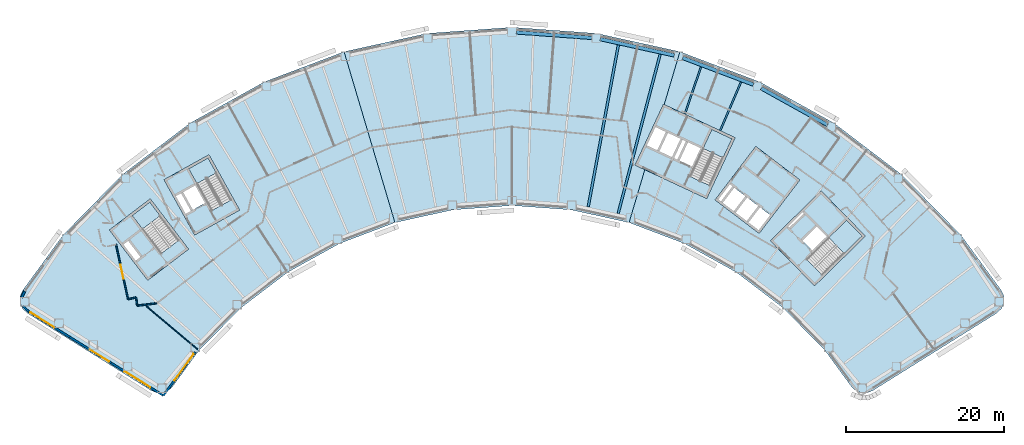
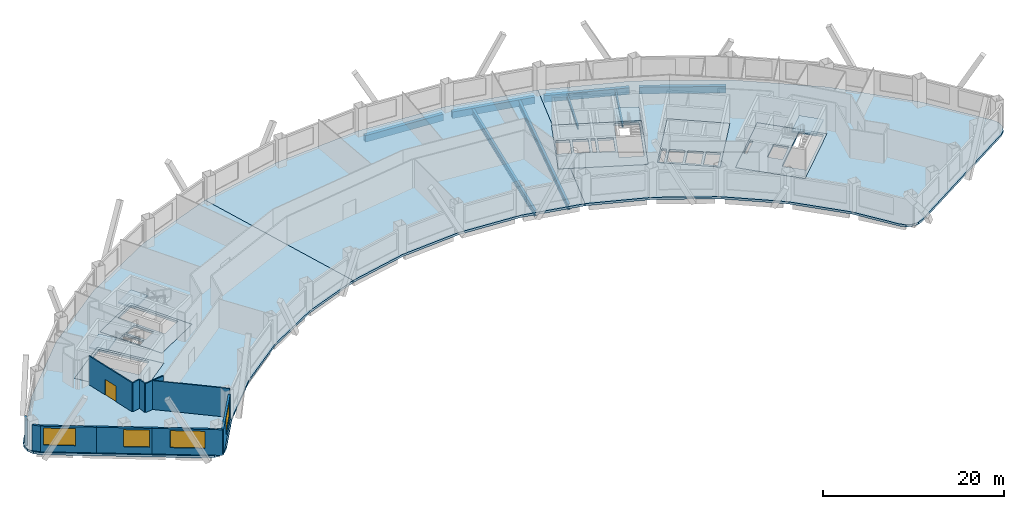
# One storey, part 2 of 11: 12 slabs, 11 walls, 8 beams, 4 windows, 1 door, 5 openings, 4 elements without a shape of their own.
"""IFC4 building model written with IfcOpenShell, lengths in metres."""

from ifc_helpers import new_model, si_unit, direction, frame, frame_2d, origin, origin_2d, place, context, subcontext, project, spatial, polyline, rectangle, hollow_rectangle, i_section, outline, extrude, material, layer, layer_set, material_profile, profile_set, type_object, element, fill, aggregate, save


model = new_model("IFC4")

# Units and contexts
model_context = context("Model", 3, precision=1e-05, world=origin(), true_north=direction((0.0, 1.0)))
body_context = subcontext(model_context, "Body", "Model", "MODEL_VIEW")
ifc_project = project(units=[si_unit("LENGTHUNIT", "METRE"), si_unit("AREAUNIT", "SQUARE_METRE"), si_unit("VOLUMEUNIT", "CUBIC_METRE"), si_unit("PLANEANGLEUNIT", "RADIAN"), si_unit("MASSUNIT", "GRAM", prefix="KILO")], contexts=[model_context])

# Site, building, storey
site_placement = place(None, origin())
site = spatial("IfcSite", under=ifc_project, at=site_placement, CompositionType="ELEMENT")
building_placement = place(site_placement, origin())
building = spatial("IfcBuilding", under=site, at=building_placement, Name="Tuul Gate Civic Tower", CompositionType="ELEMENT")
storey_placement = place(building_placement, frame((0.0, 0.0, 116.10009765625)))
storey = spatial("IfcBuildingStorey", under=building, at=storey_placement, Name="Level 26", CompositionType="ELEMENT", Elevation=116.10009765625)

# Beams
ifc_material_1 = material(Name="Steel S355", Category="steel")
ifc_material_profile_1 = material_profile(ifc_material_1, i_section(OverallWidth=0.199951171875, OverallDepth=0.5, WebThickness=0.010009765625, FlangeThickness=0.01611328125, at=origin_2d()), Name="PG500x200x10x16")
ifc_profile_set_1 = profile_set([ifc_material_profile_1], Name="Steel S355")
beam_type_1 = type_object("IfcBeamType", Name="STR-FLOOR BEAM-PG500x200x10x16", PredefinedType="BEAM", material=ifc_profile_set_1)
beam_1_placement = place(storey_placement, frame((36.169677734375, 1.197998046875, -0.550048828125), z_axis=(0.394200560457, 0.919024438269, 0.0), x_axis=(-0.919024438269, 0.394200560457, 0.0)))
element("IfcBeam", 1, at=beam_1_placement, inside=storey, type_object=beam_type_1, Name="Floor beam", PredefinedType="BEAM", context=body_context, shape_type="SweptSolid", body=[
    extrude(i_section(OverallWidth=0.199951171875, OverallDepth=0.5, WebThickness=0.010009765625, FlangeThickness=0.01611328125, at=origin_2d()), origin(), (0.0, 0.0, 1.0), 6.704345703125),
])
beam_2_placement = place(storey_placement, frame((31.6875, 3.2880859375, -0.550048828125), z_axis=(0.325502200931, 0.945541282647, 0.0), x_axis=(-0.945541282647, 0.325502200931, 0.0)))
element("IfcBeam", 2, at=beam_2_placement, inside=storey, type_object=beam_type_1, Name="Floor beam", PredefinedType="BEAM", context=body_context, shape_type="SweptSolid", body=[
    extrude(i_section(OverallWidth=0.199951171875, OverallDepth=0.5, WebThickness=0.010009765625, FlangeThickness=0.01611328125, at=origin_2d()), origin(), (0.0, 0.0, 1.0), 6.3310546875),
])
ifc_material_2 = material(Name="Steel S355", Category="steel")
ifc_material_profile_2 = material_profile(ifc_material_2, i_section(OverallWidth=0.300048828125, OverallDepth=0.800048828125, WebThickness=0.013916015625, FlangeThickness=0.02490234375, at=origin_2d()), Name="PG800x300x14x25")
ifc_profile_set_2 = profile_set([ifc_material_profile_2], Name="Steel S355")
beam_type_2 = type_object("IfcBeamType", Name="STR-FLOOR BEAM-PG800x300x14x25", PredefinedType="BEAM", material=ifc_profile_set_2)
beam_3_placement = place(storey_placement, frame((23.267578125, -9.2548828125, -0.7001953125), z_axis=(0.255007612054, 0.966939045542, 0.0), x_axis=(-0.966939045542, 0.255007612054, 0.0)))
element("IfcBeam", 3, at=beam_3_placement, inside=storey, type_object=beam_type_2, Name="Floor beam", PredefinedType="BEAM", context=body_context, shape_type="SweptSolid", body=[
    extrude(i_section(OverallWidth=0.300048828125, OverallDepth=0.800048828125, WebThickness=0.013916015625, FlangeThickness=0.02490234375, at=origin_2d()), origin(), (0.0, 0.0, 1.0), 20.8173828125),
])
beam_4_placement = place(storey_placement, frame((19.477294921875, -8.419677734375, -0.7001953125), z_axis=(0.183147342328, 0.98308547492, 0.0), x_axis=(-0.98308547492, 0.183147342328, 0.0)))
element("IfcBeam", 4, at=beam_4_placement, inside=storey, type_object=beam_type_2, Name="Floor beam", PredefinedType="BEAM", context=body_context, shape_type="SweptSolid", body=[
    extrude(i_section(OverallWidth=0.300048828125, OverallDepth=0.800048828125, WebThickness=0.013916015625, FlangeThickness=0.02490234375, at=origin_2d()), origin(), (0.0, 0.0, 1.0), 20.811279296875),
])
ifc_material_3 = material(Name="Steel S355", Category="steel")
ifc_material_profile_3 = material_profile(ifc_material_3, hollow_rectangle(XDim=0.449951171875, YDim=0.89990234375, WallThickness=0.02490234375, at=origin_2d()), Name="BOX900x450x25")
ifc_profile_set_3 = profile_set([ifc_material_profile_3], Name="Steel S355")
beam_type_3 = type_object("IfcBeamType", Name="STR-SPANDREL BEAM-BOX900x450x25", PredefinedType="BEAM", material=ifc_profile_set_3)
beam_5_placement = place(storey_placement, frame((49.75, 1.9306640625, -0.75), z_axis=(-0.874633056334, 0.484785536879, 0.0), x_axis=(-0.484785536879, -0.874633056334, 0.0)))
element("IfcBeam", 5, at=beam_5_placement, inside=storey, type_object=beam_type_3, Name="Spandrel beam", PredefinedType="BEAM", context=body_context, shape_type="SweptSolid", body=[
    extrude(hollow_rectangle(XDim=0.449951171875, YDim=0.89990234375, WallThickness=0.02490234375, at=origin_2d()), origin(), (0.0, 0.0, 1.0), 9.57666015625),
])
beam_6_placement = place(storey_placement, frame((40.378662109375, 7.034423828125, -0.75), z_axis=(-0.935356695064, 0.353705884879, 0.0), x_axis=(-0.353705884879, -0.935356695064, 0.0)))
element("IfcBeam", 6, at=beam_6_placement, inside=storey, type_object=beam_type_3, Name="Spandrel beam", PredefinedType="BEAM", context=body_context, shape_type="SweptSolid", body=[
    extrude(hollow_rectangle(XDim=0.449951171875, YDim=0.89990234375, WallThickness=0.02490234375, at=origin_2d()), origin(), (0.0, 0.0, 1.0), 9.578369140625),
])
beam_7_placement = place(storey_placement, frame((30.367919921875, 10.7353515625, -0.75), z_axis=(-0.976564052188, 0.215226977802, 0.0), x_axis=(-0.215226977802, -0.976564052188, 0.0)))
element("IfcBeam", 7, at=beam_7_placement, inside=storey, type_object=beam_type_3, Name="Spandrel beam", PredefinedType="BEAM", context=body_context, shape_type="SweptSolid", body=[
    extrude(hollow_rectangle(XDim=0.449951171875, YDim=0.89990234375, WallThickness=0.02490234375, at=origin_2d()), origin(), (0.0, 0.0, 1.0), 9.5771484375),
])
beam_8_placement = place(storey_placement, frame((19.929443359375, 12.954833984375, -0.75), z_axis=(-0.997390439125, 0.072196343002, 0.0), x_axis=(-0.072196343002, -0.997390439125, 0.0)))
element("IfcBeam", 8, at=beam_8_placement, inside=storey, type_object=beam_type_3, Name="Spandrel beam", PredefinedType="BEAM", context=body_context, shape_type="SweptSolid", body=[
    extrude(hollow_rectangle(XDim=0.449951171875, YDim=0.89990234375, WallThickness=0.02490234375, at=origin_2d()), origin(), (0.0, 0.0, 1.0), 9.57666015625),
])

# Slabs
ifc_material_4 = material(Name="Concrete C40/50", Category="concrete")
ifc_layer_1 = layer(ifc_material_4, 0.300048828125)
ifc_layer_set_1 = layer_set([ifc_layer_1], Name="Concrete C40/50")
slab_type_1 = type_object("IfcSlabType", Name="Core floor slab 300", PredefinedType="FLOOR", material=ifc_layer_set_1)
slab_1_placement = place(storey_placement, frame((0.0, 0.0, -0.300048828125)))
element("IfcSlab", 9, at=slab_1_placement, inside=storey, type_object=slab_type_1, Name="FLOOR SLAB", PredefinedType="FLOOR", context=body_context, shape_type="SweptSolid", body=[
    extrude(outline(polyline([(-31.10009765625, -13.7890625), (-35.946044921875, -7.423828125), (-41.11767578125, -11.361572265625), (-36.271484375, -17.726806640625), (-31.10009765625, -13.7890625)]), holes=[polyline([(-37.19287109375, -14.783203125), (-38.737548828125, -12.75439453125), (-39.45361328125, -13.299560546875), (-37.908935546875, -15.328369140625), (-37.19287109375, -14.783203125)]), polyline([(-32.33935546875, -12.65771484375), (-34.56591796875, -14.352783203125), (-38.229736328125, -9.54052734375), (-36.003173828125, -7.845458984375), (-32.33935546875, -12.65771484375)])]), origin(), (0.0, 0.0, 1.0), 0.300048828125),
])
slab_2_placement = place(storey_placement, frame((0.0, 0.0, -0.300048828125)))
element("IfcSlab", 10, at=slab_2_placement, inside=storey, type_object=slab_type_1, Name="FLOOR SLAB", PredefinedType="FLOOR", context=body_context, shape_type="SweptSolid", body=[
    extrude(outline(polyline([(-24.638916015625, -8.846923828125), (-28.51708984375, -1.849853515625), (-34.2021484375, -5.0009765625), (-30.32421875, -11.998046875), (-24.638916015625, -8.846923828125)]), holes=[polyline([(-29.0185546875, -7.958740234375), (-30.254638671875, -5.728515625), (-31.785400390625, -6.576904296875), (-30.54931640625, -8.80712890625), (-29.0185546875, -7.958740234375)]), polyline([(-30.8115234375, -8.95263671875), (-32.047607421875, -6.72216796875), (-32.8349609375, -7.158447265625), (-31.5986328125, -9.388916015625), (-30.8115234375, -8.95263671875)]), polyline([(-25.702392578125, -7.548828125), (-28.14990234375, -8.905517578125), (-31.08203125, -3.615234375), (-28.63427734375, -2.2587890625), (-25.702392578125, -7.548828125)])]), origin(), (0.0, 0.0, 1.0), 0.300048828125),
])
slab_3_placement = place(storey_placement, frame((0.0, 0.0, -0.300048828125)))
element("IfcSlab", 11, at=slab_3_placement, inside=storey, type_object=slab_type_1, Name="FLOOR SLAB", PredefinedType="FLOOR", context=body_context, shape_type="SweptSolid", body=[
    extrude(outline(polyline([(48.117919921875, -18.43310546875), (54.545166015625, -12.1328125), (48.945068359375, -6.419921875), (42.517822265625, -12.719970703125), (48.117919921875, -18.43310546875)]), holes=[polyline([(47.808837890625, -13.974853515625), (49.6298828125, -12.18994140625), (48.40478515625, -10.940185546875), (46.583984375, -12.72509765625), (47.808837890625, -13.974853515625)]), polyline([(44.93896484375, -11.046875), (46.760009765625, -9.261962890625), (46.514892578125, -9.011962890625), (44.69384765625, -10.797119140625), (44.93896484375, -11.046875)]), polyline([(49.086181640625, -17.062744140625), (47.12744140625, -15.064208984375), (52.160888671875, -10.130126953125), (54.11962890625, -12.128662109375), (49.086181640625, -17.062744140625)])]), origin(), (0.0, 0.0, 1.0), 0.300048828125),
])
slab_4_placement = place(storey_placement, frame((0.0, 0.0, -0.300048828125)))
element("IfcSlab", 12, at=slab_4_placement, inside=storey, type_object=slab_type_1, Name="FLOOR SLAB", PredefinedType="FLOOR", context=body_context, shape_type="SweptSolid", body=[
    extrude(outline(polyline([(34.465087890625, -7.385986328125), (38.056884765625, 0.31787109375), (28.993896484375, 4.543701171875), (25.40185546875, -3.159912109375), (34.465087890625, -7.385986328125)]), holes=[polyline([(32.60888671875, -3.32080078125), (33.6865234375, -1.009765625), (32.1005859375, -0.27001953125), (31.02294921875, -2.581298828125), (32.60888671875, -3.32080078125)]), polyline([(30.0712890625, -2.137451171875), (31.14892578125, 0.173583984375), (29.562744140625, 0.9130859375), (28.4853515625, -1.39794921875), (30.0712890625, -2.137451171875)]), polyline([(30.751220703125, -2.454345703125), (31.82861328125, -0.143310546875), (31.4208984375, 0.046875), (30.34326171875, -2.264404296875), (30.751220703125, -2.454345703125)]), polyline([(28.21337890625, -1.27099609375), (29.291015625, 1.0400390625), (27.8408203125, 1.71630859375), (26.76318359375, -0.594970703125), (28.21337890625, -1.27099609375)]), polyline([(34.889892578125, -5.7626953125), (32.353759765625, -4.580078125), (35.120849609375, 1.354736328125), (37.6572265625, 0.17236328125), (34.889892578125, -5.7626953125)])]), origin(), (0.0, 0.0, 1.0), 0.300048828125),
])
ifc_material_5 = material(Name="Concrete C40/50", Category="concrete")
ifc_layer_2 = layer(ifc_material_5, 0.300048828125)
ifc_layer_set_2 = layer_set([ifc_layer_2], Name="Concrete C40/50")
slab_type_2 = type_object("IfcSlabType", Name="Core floor slab 300 non-bearing", PredefinedType="FLOOR", material=ifc_layer_set_2)
slab_5_placement = place(storey_placement, frame((0.0, 0.0, -0.300048828125)))
element("IfcSlab", 13, at=slab_5_placement, inside=storey, type_object=slab_type_2, Name="FLOOR SLAB", PredefinedType="FLOOR", context=body_context, shape_type="SweptSolid", body=[
    extrude(outline(polyline([(41.10107421875, -11.797119140625), (46.25, -5.033935546875), (40.680908203125, -0.79296875), (35.531982421875, -7.555908203125), (41.10107421875, -11.797119140625)]), holes=[polyline([(41.044189453125, -11.37646484375), (42.497802734375, -9.467041015625), (41.22509765625, -8.49755859375), (39.77099609375, -10.4072265625), (41.044189453125, -11.37646484375)]), polyline([(39.532470703125, -10.225341796875), (40.986328125, -8.31591796875), (39.593994140625, -7.255615234375), (38.14013671875, -9.165283203125), (39.532470703125, -10.225341796875)]), polyline([(37.901611328125, -8.9833984375), (39.35546875, -7.073974609375), (37.963134765625, -6.013671875), (36.50927734375, -7.923095703125), (37.901611328125, -8.9833984375)]), polyline([(36.1796875, -7.860595703125), (37.724609375, -5.831787109375), (37.286865234375, -5.49853515625), (35.7421875, -7.527587890625), (36.1796875, -7.860595703125)])]), origin(), (0.0, 0.0, 1.0), 0.300048828125),
])

# Stair, slab
ifc_material_6 = material(Name="Concrete C40/50", Category="concrete")
stair_type = type_object("IfcStairType", Name="Exit stair", PredefinedType="HALF_TURN_STAIR", material=ifc_material_6)
stair_1_placement = place(storey_placement, origin())
stair_1 = element("IfcStair", 14, at=stair_1_placement, inside=storey, type_object=stair_type, Name="Level 26 ST-1", PredefinedType="HALF_TURN_STAIR")
ifc_material_7 = material(Name="Concrete C40/50", Category="concrete")
ifc_layer_3 = layer(ifc_material_7, 0.199951171875)
ifc_layer_set_3 = layer_set([ifc_layer_3], Name="Concrete C40/50")
slab_type_3 = type_object("IfcSlabType", Name="Exit stair landing", PredefinedType="LANDING", material=ifc_layer_set_3)
slab_6_placement = place(storey_placement, frame((0.0, 0.0, 1.89990234375)))
slab_6 = element("IfcSlab", 15, at=slab_6_placement, type_object=slab_type_3, Name="ST-1 landing 1", PredefinedType="LANDING", context=body_context, shape_type="SweptSolid", body=[
    extrude(outline(polyline([(-34.699462890625, -9.554931640625), (-36.9287109375, -11.252197265625), (-38.23193359375, -9.540283203125), (-36.0029296875, -7.843017578125), (-34.699462890625, -9.554931640625)])), origin(), (0.0, 0.0, 1.0), 0.199951171875),
])
aggregate(stair_1, [slab_6])

stair_2_placement = place(storey_placement, origin())
stair_2 = element("IfcStair", 16, at=stair_2_placement, inside=storey, type_object=stair_type, Name="Level 26 ST-2", PredefinedType="HALF_TURN_STAIR")
slab_7_placement = place(storey_placement, frame((0.0, 0.0, 1.89990234375)))
slab_7 = element("IfcSlab", 17, at=slab_7_placement, type_object=slab_type_3, Name="ST-2 landing 1", PredefinedType="LANDING", context=body_context, shape_type="SweptSolid", body=[
    extrude(outline(polyline([(-27.5908203125, -4.138427734375), (-30.041015625, -5.49658203125), (-31.084228515625, -3.61474609375), (-28.6337890625, -2.256591796875), (-27.5908203125, -4.138427734375)])), origin(), (0.0, 0.0, 1.0), 0.199951171875),
])
aggregate(stair_2, [slab_7])

stair_3_placement = place(storey_placement, origin())
stair_3 = element("IfcStair", 18, at=stair_3_placement, inside=storey, type_object=stair_type, Name="Level 26 ST-3", PredefinedType="HALF_TURN_STAIR")
slab_8_placement = place(storey_placement, frame((0.0, 0.0, 1.89990234375)))
slab_8 = element("IfcSlab", 19, at=slab_8_placement, type_object=slab_type_3, Name="ST-3 landing 1", PredefinedType="LANDING", context=body_context, shape_type="SweptSolid", body=[
    extrude(outline(polyline([(51.871337890625, -14.3349609375), (49.91015625, -12.334228515625), (52.160888671875, -10.1279296875), (54.1220703125, -12.128662109375), (51.871337890625, -14.3349609375)])), origin(), (0.0, 0.0, 1.0), 0.199951171875),
])
aggregate(stair_3, [slab_8])

stair_4_placement = place(storey_placement, origin())
stair_4 = element("IfcStair", 20, at=stair_4_placement, inside=storey, type_object=stair_type, Name="Level 26 ST-4", PredefinedType="HALF_TURN_STAIR")
slab_9_placement = place(storey_placement, frame((0.0, 0.0, 1.89990234375)))
slab_9 = element("IfcSlab", 21, at=slab_9_placement, type_object=slab_type_3, Name="ST-4 landing 1", PredefinedType="LANDING", context=body_context, shape_type="SweptSolid", body=[
    extrude(outline(polyline([(36.538818359375, -2.230224609375), (33.999755859375, -1.046142578125), (35.1201171875, 1.35693359375), (37.659423828125, 0.173095703125), (36.538818359375, -2.230224609375)])), origin(), (0.0, 0.0, 1.0), 0.199951171875),
])
aggregate(stair_4, [slab_9])

# Slabs
ifc_material_8 = material(Name="Concrete C35/45", Category="concrete")
ifc_layer_4 = layer(ifc_material_8, 0.300048828125)
ifc_layer_set_4 = layer_set([ifc_layer_4], Name="Concrete C35/45")
slab_type_4 = type_object("IfcSlabType", Name="STR-FLOOR-SLAB-300", PredefinedType="FLOOR", material=ifc_layer_set_4)
slab_10_placement = place(storey_placement, frame((0.0, 0.0, -0.300048828125)))
element("IfcSlab", 22, at=slab_10_placement, inside=storey, type_object=slab_type_4, Name="Level 26/slab/W", PredefinedType="FLOOR", context=body_context, shape_type="SweptSolid", body=[
    extrude(outline(polyline([(-12.0048828125, -13.0830078125), (-4.985107421875, -10.427978515625), (-11.4189453125, 11.194091796875), (-21.488037109375, 7.385986328125), (-30.902099609375, 2.1669921875), (-39.467041015625, -4.35302734375), (-47.001953125, -12.0400390625), (-52.0830078125, -18.9970703125), (-52.4189453125, -19.739990234375), (-52.430908203125, -20.555908203125), (-52.116943359375, -21.30810546875), (-51.527099609375, -21.8720703125), (-35.797119140625, -31.701904296875), (-35.10302734375, -31.971923828125), (-34.35791015625, -31.968994140625), (-33.666015625, -31.694091796875), (-33.1220703125, -31.18505859375), (-29.79296875, -26.626953125), (-24.5400390625, -21.26806640625), (-18.569091796875, -16.720947265625), (-12.0048828125, -13.0830078125)]), holes=[polyline([(-31.10009765625, -13.7890625), (-36.27197265625, -17.72705078125), (-41.117919921875, -11.362060546875), (-35.946044921875, -7.424072265625), (-31.10009765625, -13.7890625)]), polyline([(-24.638916015625, -8.846923828125), (-30.323974609375, -11.998046875), (-34.201904296875, -5.0009765625), (-28.51708984375, -1.85009765625), (-24.638916015625, -8.846923828125)])]), origin(), (0.0, 0.0, 1.0), 0.300048828125),
])
slab_11_placement = place(storey_placement, frame((0.0, 0.0, -0.300048828125)))
element("IfcSlab", 23, at=slab_11_placement, inside=storey, type_object=slab_type_4, Name="Level 26/slab/M", PredefinedType="FLOOR", context=body_context, shape_type="SweptSolid", body=[
    extrude(outline(polyline([(24.64306640625, -10.427978515625), (26.635009765625, -3.735107421875), (25.402099609375, -3.159912109375), (28.993896484375, 4.5439453125), (29.0859375, 4.5009765625), (31.076904296875, 11.194091796875), (20.56494140625, 13.510009765625), (9.8291015625, 14.2880859375), (-0.906982421875, 13.510009765625), (-11.4189453125, 11.194091796875), (-4.985107421875, -10.427978515625), (2.343994140625, -8.81298828125), (9.8291015625, -8.27099609375), (17.31396484375, -8.81298828125), (24.64306640625, -10.427978515625)])), origin(), (0.0, 0.0, 1.0), 0.300048828125),
])
slab_12_placement = place(storey_placement, frame((0.0, 0.0, -0.300048828125)))
element("IfcSlab", 24, at=slab_12_placement, inside=storey, type_object=slab_type_4, Name="Level 26/slab/E", PredefinedType="FLOOR", context=body_context, shape_type="SweptSolid", body=[
    extrude(outline(polyline([(54.760986328125, -31.971923828125), (55.455078125, -31.701904296875), (71.18505859375, -21.8720703125), (71.77392578125, -21.30810546875), (72.089111328125, -20.555908203125), (72.076904296875, -19.739990234375), (71.739990234375, -18.9970703125), (66.659912109375, -12.0400390625), (59.1240234375, -4.35302734375), (50.56005859375, 2.1669921875), (41.14501953125, 7.385986328125), (31.076904296875, 11.194091796875), (29.0859375, 4.5009765625), (38.056884765625, 0.318115234375), (34.465087890625, -7.385986328125), (26.635009765625, -3.735107421875), (24.64306640625, -10.427978515625), (31.6630859375, -13.0830078125), (38.22607421875, -16.720947265625), (44.197021484375, -21.26806640625), (49.450927734375, -26.626953125), (52.780029296875, -31.18505859375), (53.323974609375, -31.694091796875), (54.01611328125, -31.968994140625), (54.760986328125, -31.971923828125)]), holes=[polyline([(48.117919921875, -18.43310546875), (42.51806640625, -12.719970703125), (48.945068359375, -6.419921875), (54.544921875, -12.133056640625), (48.117919921875, -18.43310546875)]), polyline([(35.531982421875, -7.555908203125), (40.680908203125, -0.79296875), (46.25, -5.033935546875), (41.10107421875, -11.797119140625), (35.531982421875, -7.555908203125)])]), origin(), (0.0, 0.0, 1.0), 0.300048828125),
])

# Wall, opening, door
ifc_material_9 = material(Name="Gypsum board partition")
ifc_layer_5 = layer(ifc_material_9, 0.14990234375)
ifc_layer_set_5 = layer_set([ifc_layer_5], Name="Gypsum board partition")
wall_type_1 = type_object("IfcWallType", Name="Corridor wall P150", PredefinedType="PARTITIONING", material=ifc_layer_set_5)
wall_1_placement = place(storey_placement, frame((-40.279052734375, -13.201416015625, 0.0), z_axis=(0.0, 0.0, 1.0), x_axis=(0.214701443926, -0.976679727432, 0.0)))
wall_1 = element("IfcWall", 25, at=wall_1_placement, inside=storey, type_object=wall_type_1, Name="p044", PredefinedType="PARTITIONING", context=body_context, shape_type="SweptSolid", body=[
    extrude(rectangle(XDim=7.087646484375, YDim=0.14990234375, at=frame_2d((3.5439453125, 0.0))), origin(), (0.0, 0.0, 1.0), 3.89990234375),
])
opening_1_placement = place(wall_1_placement, frame((2.643798828125, 0.0, 0.0)))
opening_1 = element("IfcOpeningElement", 26, at=opening_1_placement, cuts=wall_1, Name="Opening H-D10", PredefinedType="OPENING", context=body_context, shape_type="SweptSolid", body=[
    extrude(rectangle(XDim=1.800048828125, YDim=2.10009765625, at=frame_2d((0.89990234375, 1.050048828125))), frame((0.0, 0.0849609375, 0.0), z_axis=(0.0, -1.0, 0.0), x_axis=(1.0, 0.0, 0.0)), (0.0, 0.0, 1.0), 0.169921875),
])
ifc_material_10 = material(Name="Timber door leaf, double", Category="wood")
door_type = type_object("IfcDoorType", Name="Door D18", OperationType="DOUBLE_DOOR_SINGLE_SWING", PredefinedType="DOOR", material=ifc_material_10)
door_placement = place(opening_1_placement, frame((1.800048828125, 0.0, 0.0), z_axis=(0.0, 0.0, 1.0), x_axis=(-1.0, 0.0, 0.0)))
door = element("IfcDoor", 27, at=door_placement, inside=storey, type_object=door_type, Name="Door H-D10", OperationType="DOUBLE_DOOR_SINGLE_SWING", OverallHeight=2.10009765625, OverallWidth=1.800048828125, PredefinedType="DOOR", context=body_context, shape_type="SweptSolid", body=[
    extrude(rectangle(XDim=1.800048828125, YDim=2.10009765625, at=frame_2d((0.900146484375, 1.050048828125))), frame((0.0, 0.02490234375, 0.0), z_axis=(0.0, -1.0, 0.0), x_axis=(1.0, 0.0, 0.0)), (0.0, 0.0, 1.0), 0.050048828125),
])
fill(opening_1, door)

# Walls
wall_2_placement = place(storey_placement, frame((-38.757080078125, -20.123779296875, 0.0), z_axis=(0.0, 0.0, 1.0), x_axis=(0.976654438629, 0.214816450735, 0.0)))
element("IfcWall", 28, at=wall_2_placement, inside=storey, type_object=wall_type_1, Name="p051", PredefinedType="PARTITIONING", context=body_context, shape_type="SweptSolid", body=[
    extrude(rectangle(XDim=1.02734375, YDim=0.14990234375, at=frame_2d((0.513671875, 0.0))), origin(), (0.0, 0.0, 1.0), 3.89990234375),
])
wall_3_placement = place(storey_placement, frame((-37.72900390625, -19.920654296875, 0.0), z_axis=(0.0, 0.0, 1.0), x_axis=(0.121168571495, -0.99263194452, 0.0)))
element("IfcWall", 29, at=wall_3_placement, inside=storey, type_object=wall_type_1, Name="p052", PredefinedType="PARTITIONING", context=body_context, shape_type="SweptSolid", body=[
    extrude(rectangle(XDim=1.027587890625, YDim=0.14990234375, at=frame_2d((0.513671875, 0.0))), origin(), (0.0, 0.0, 1.0), 3.89990234375),
])
wall_4_placement = place(storey_placement, frame((-37.6044921875, -20.940673828125, 0.0), z_axis=(0.0, 0.0, 1.0), x_axis=(0.992643003918, 0.121077936774, 0.0)))
element("IfcWall", 30, at=wall_4_placement, inside=storey, type_object=wall_type_1, Name="p053", PredefinedType="PARTITIONING", context=body_context, shape_type="SweptSolid", body=[
    extrude(rectangle(XDim=2.490234375, YDim=0.14990234375, at=frame_2d((1.2451171875, 0.0))), origin(), (0.0, 0.0, 1.0), 3.89990234375),
])
ifc_material_11 = material(Name="Precast concrete C40/50", Category="concrete")
ifc_layer_6 = layer(ifc_material_11, 0.25)
ifc_layer_set_6 = layer_set([ifc_layer_6], Name="Precast concrete C40/50")
wall_type_2 = type_object("IfcWallType", Name="External wall", PredefinedType="STANDARD", material=ifc_layer_set_6)
wall_5_placement = place(storey_placement, frame((-51.84814453125, -19.136474609375, 0.0), z_axis=(0.0, 0.0, 1.0), x_axis=(-0.411894351911, -0.911231607696, 0.0)))
element("IfcWall", 31, at=wall_5_placement, inside=storey, type_object=wall_type_2, Name="External wall", PredefinedType="STANDARD", context=body_context, shape_type="SweptSolid", body=[
    extrude(rectangle(XDim=0.829345703125, YDim=0.25, at=frame_2d((0.41455078125, 0.0))), origin(), (0.0, 0.0, 1.0), 3.449951171875),
])
wall_6_placement = place(storey_placement, frame((-52.053466796875, -20.991943359375, 0.0), z_axis=(0.0, 0.0, 1.0), x_axis=(0.722104872767, -0.691783602527, 0.0)))
element("IfcWall", 32, at=wall_6_placement, inside=storey, type_object=wall_type_2, Name="External wall", PredefinedType="STANDARD", context=body_context, shape_type="SweptSolid", body=[
    extrude(rectangle(XDim=0.958251953125, YDim=0.25, at=frame_2d((0.47900390625, 0.0))), origin(), (0.0, 0.0, 1.0), 3.449951171875),
])

# Wall, opening, window
wall_7_placement = place(storey_placement, frame((-51.3818359375, -21.638916015625, 0.0), z_axis=(0.0, 0.0, 1.0), x_axis=(0.848053758074, -0.529910203164, 0.0)))
wall_7 = element("IfcWall", 33, at=wall_7_placement, inside=storey, type_object=wall_type_2, Name="External wall", PredefinedType="STANDARD", context=body_context, shape_type="SweptSolid", body=[
    extrude(rectangle(XDim=6.182861328125, YDim=0.25, at=frame_2d((3.09130859375, 0.0))), origin(), (0.0, 0.0, 1.0), 3.449951171875),
])
opening_2_placement = place(wall_7_placement, frame((0.322998046875, 0.0, 0.89990234375)))
opening_2 = element("IfcOpeningElement", 34, at=opening_2_placement, cuts=wall_7, Name="Opening W112", PredefinedType="OPENING", context=body_context, shape_type="SweptSolid", body=[
    extrude(rectangle(XDim=3.550048828125, YDim=2.300048828125, at=frame_2d((1.77490234375, 1.14990234375))), frame((0.0, 0.135009765625, 0.0), z_axis=(0.0, -1.0, 0.0), x_axis=(1.0, 0.0, 0.0)), (0.0, 0.0, 1.0), 0.27001953125),
])
ifc_material_12 = material(Name="Glass", Category="glass")
window_type_1 = type_object("IfcWindowType", Name="Window W112 3550 x 2300", PartitioningType="SINGLE_PANEL", PredefinedType="WINDOW", material=ifc_material_12)
window_1_placement = place(opening_2_placement, origin())
window_1 = element("IfcWindow", 35, at=window_1_placement, inside=storey, type_object=window_type_1, Name="Window", OverallHeight=2.300048828125, OverallWidth=3.550048828125, PartitioningType="SINGLE_PANEL", PredefinedType="WINDOW", context=body_context, shape_type="SweptSolid", body=[
    extrude(rectangle(XDim=3.550048828125, YDim=2.300048828125, at=frame_2d((1.77490234375, 1.14990234375))), frame((0.0, 0.030029296875, 0.0), z_axis=(0.0, -1.0, 0.0), x_axis=(1.0, 0.0, 0.0)), (0.0, 0.0, 1.0), 0.06005859375),
])
fill(opening_2, window_1)

wall_8_placement = place(storey_placement, frame((-46.138427734375, -24.915283203125, 0.0), z_axis=(0.0, 0.0, 1.0), x_axis=(0.848053758074, -0.529910203164, 0.0)))
wall_8 = element("IfcWall", 36, at=wall_8_placement, inside=storey, type_object=wall_type_2, Name="External wall", PredefinedType="STANDARD", context=body_context, shape_type="SweptSolid", body=[
    extrude(rectangle(XDim=6.182861328125, YDim=0.25, at=frame_2d((3.09130859375, 0.0))), origin(), (0.0, 0.0, 1.0), 3.449951171875),
])
opening_3_placement = place(wall_8_placement, frame((3.006103515625, 0.0, 0.89990234375)))
opening_3 = element("IfcOpeningElement", 37, at=opening_3_placement, cuts=wall_8, Name="Opening W68", PredefinedType="OPENING", context=body_context, shape_type="SweptSolid", body=[
    extrude(rectangle(XDim=2.85009765625, YDim=2.300048828125, at=frame_2d((1.425048828125, 1.14990234375))), frame((0.0, 0.135009765625, 0.0), z_axis=(0.0, -1.0, 0.0), x_axis=(1.0, 0.0, 0.0)), (0.0, 0.0, 1.0), 0.27001953125),
])
ifc_material_13 = material(Name="Glass", Category="glass")
window_type_2 = type_object("IfcWindowType", Name="Window 2850 x 2300", PartitioningType="SINGLE_PANEL", PredefinedType="WINDOW", material=ifc_material_13)
window_2_placement = place(opening_3_placement, origin())
window_2 = element("IfcWindow", 38, at=window_2_placement, inside=storey, type_object=window_type_2, Name="Window", OverallHeight=2.300048828125, OverallWidth=2.85009765625, PartitioningType="SINGLE_PANEL", PredefinedType="WINDOW", context=body_context, shape_type="SweptSolid", body=[
    extrude(rectangle(XDim=2.85009765625, YDim=2.300048828125, at=frame_2d((1.425048828125, 1.14990234375))), frame((0.0, 0.030029296875, 0.0), z_axis=(0.0, -1.0, 0.0), x_axis=(1.0, 0.0, 0.0)), (0.0, 0.0, 1.0), 0.06005859375),
])
fill(opening_3, window_2)

wall_9_placement = place(storey_placement, frame((-40.89501953125, -28.191650390625, 0.0), z_axis=(0.0, 0.0, 1.0), x_axis=(0.848044094411, -0.529925668311, 0.0)))
wall_9 = element("IfcWall", 39, at=wall_9_placement, inside=storey, type_object=wall_type_2, Name="External wall", PredefinedType="STANDARD", context=body_context, shape_type="SweptSolid", body=[
    extrude(rectangle(XDim=7.787353515625, YDim=0.25, at=frame_2d((3.8935546875, 0.0))), origin(), (0.0, 0.0, 1.0), 3.449951171875),
])
opening_4_placement = place(wall_9_placement, frame((1.9951171875, 0.0, 0.89990234375)))
opening_4 = element("IfcOpeningElement", 40, at=opening_4_placement, cuts=wall_9, Name="Opening W22", PredefinedType="OPENING", context=body_context, shape_type="SweptSolid", body=[
    extrude(rectangle(XDim=3.85009765625, YDim=2.300048828125, at=frame_2d((1.925048828125, 1.14990234375))), frame((0.0, 0.135009765625, 0.0), z_axis=(0.0, -1.0, 0.0), x_axis=(1.0, 0.0, 0.0)), (0.0, 0.0, 1.0), 0.27001953125),
])
ifc_material_14 = material(Name="Glass", Category="glass")
window_type_3 = type_object("IfcWindowType", Name="Window W22 3850 x 2300", PartitioningType="SINGLE_PANEL", PredefinedType="WINDOW", material=ifc_material_14)
window_3_placement = place(opening_4_placement, origin())
window_3 = element("IfcWindow", 41, at=window_3_placement, inside=storey, type_object=window_type_3, Name="Window", OverallHeight=2.300048828125, OverallWidth=3.85009765625, PartitioningType="SINGLE_PANEL", PredefinedType="WINDOW", context=body_context, shape_type="SweptSolid", body=[
    extrude(rectangle(XDim=3.85009765625, YDim=2.300048828125, at=frame_2d((1.925048828125, 1.14990234375))), frame((0.0, 0.030029296875, 0.0), z_axis=(0.0, -1.0, 0.0), x_axis=(1.0, 0.0, 0.0)), (0.0, 0.0, 1.0), 0.06005859375),
])
fill(opening_4, window_3)

wall_10_placement = place(storey_placement, frame((-34.291015625, -32.318359375, 0.0), z_axis=(0.0, 0.0, 1.0), x_axis=(0.589868212008, 0.807499530936, 0.0)))
wall_10 = element("IfcWall", 42, at=wall_10_placement, inside=storey, type_object=wall_type_2, Name="External wall", PredefinedType="STANDARD", context=body_context, shape_type="SweptSolid", body=[
    extrude(rectangle(XDim=6.8486328125, YDim=0.25, at=frame_2d((3.42431640625, 0.0))), origin(), (0.0, 0.0, 1.0), 3.449951171875),
])
opening_5_placement = place(wall_10_placement, frame((2.356689453125, 0.0, 0.89990234375)))
opening_5 = element("IfcOpeningElement", 43, at=opening_5_placement, cuts=wall_10, Name="Opening W25", PredefinedType="OPENING", context=body_context, shape_type="SweptSolid", body=[
    extrude(rectangle(XDim=4.14990234375, YDim=2.300048828125, at=frame_2d((2.074951171875, 1.14990234375))), frame((0.0, 0.135009765625, 0.0), z_axis=(0.0, -1.0, 0.0), x_axis=(1.0, 0.0, 0.0)), (0.0, 0.0, 1.0), 0.27001953125),
])
ifc_material_15 = material(Name="Glass", Category="glass")
window_type_4 = type_object("IfcWindowType", Name="Window W25 4150 x 2300", PartitioningType="SINGLE_PANEL", PredefinedType="WINDOW", material=ifc_material_15)
window_4_placement = place(opening_5_placement, origin())
window_4 = element("IfcWindow", 44, at=window_4_placement, inside=storey, type_object=window_type_4, Name="Window", OverallHeight=2.300048828125, OverallWidth=4.14990234375, PartitioningType="SINGLE_PANEL", PredefinedType="WINDOW", context=body_context, shape_type="SweptSolid", body=[
    extrude(rectangle(XDim=4.14990234375, YDim=2.300048828125, at=frame_2d((2.074951171875, 1.14990234375))), frame((0.0, 0.030029296875, 0.0), z_axis=(0.0, -1.0, 0.0), x_axis=(1.0, 0.0, 0.0)), (0.0, 0.0, 1.0), 0.06005859375),
])
fill(opening_5, window_4)

# Wall
ifc_material_16 = material(Name="Gypsum board partition")
ifc_layer_7 = layer(ifc_material_16, 0.10009765625)
ifc_layer_set_7 = layer_set([ifc_layer_7], Name="Gypsum board partition")
wall_type_3 = type_object("IfcWallType", Name="Partition P100", PredefinedType="PARTITIONING", material=ifc_layer_set_7)
wall_11_placement = place(storey_placement, frame((-36.640625, -20.822998046875, 0.0), z_axis=(0.0, 0.0, 1.0), x_axis=(0.762822215441, -0.646608279895, 0.0)))
element("IfcWall", 45, at=wall_11_placement, inside=storey, type_object=wall_type_3, Name="p046", PredefinedType="PARTITIONING", context=body_context, shape_type="SweptSolid", body=[
    extrude(rectangle(XDim=8.70556640625, YDim=0.10009765625, at=frame_2d((4.352783203125, 0.0))), origin(), (0.0, 0.0, 1.0), 3.89990234375),
])

save(model, "model.ifc")
